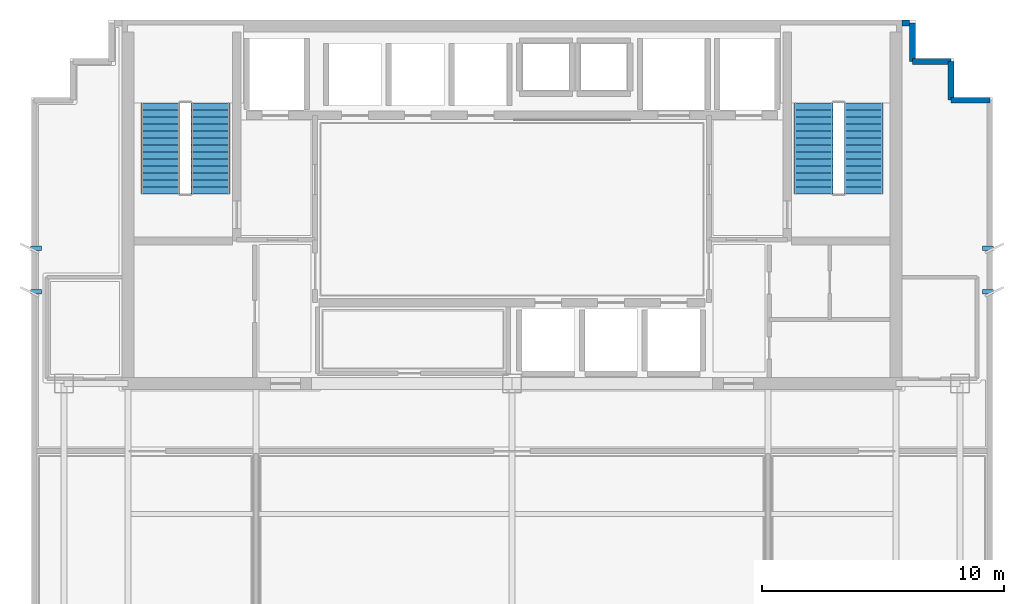
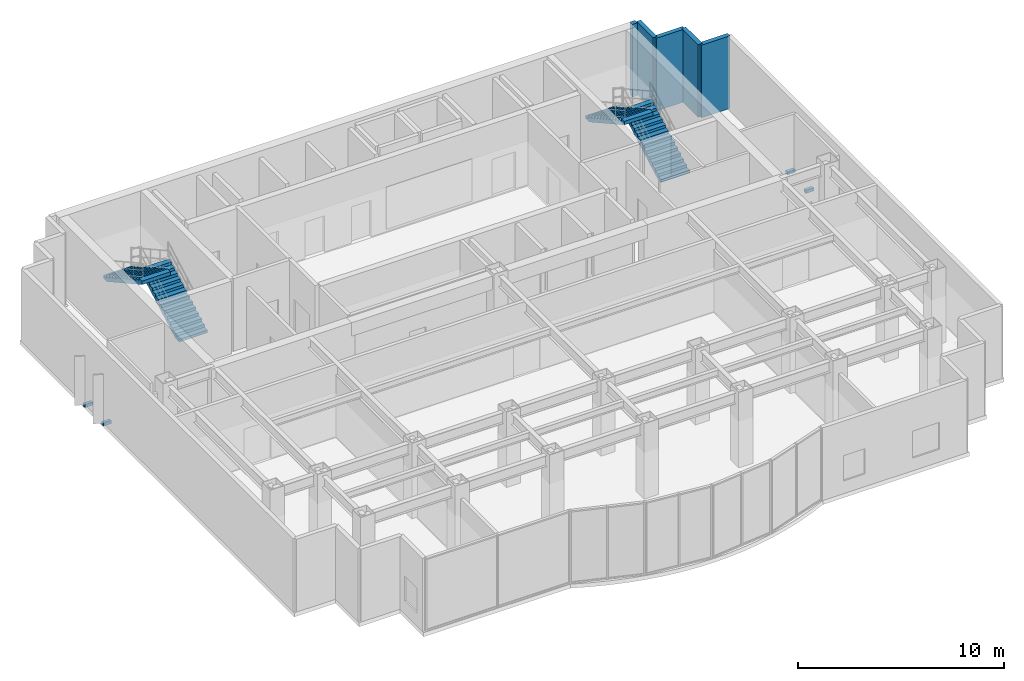
# One storey, part 6 of 8: 5 walls, 4 discrete accessories, 4 stair flights, 2 elements without a shape of their own.
"""IFC4 building model written with IfcOpenShell, lengths in metres."""

from ifc_helpers import new_model, si_unit, direction, frame, frame_2d, origin, origin_2d, place, context, subcontext, project, spatial, polyline, rectangle, outline, extrude, source, transform, mapped, material, layer, layer_set, type_object, element, aggregate, save


model = new_model("IFC4")

# Units and contexts
model_context = context("Model", 3, precision=1e-05, world=origin(), true_north=direction((0.0, 1.0)))
body_context = subcontext(model_context, "Body", "Model", "MODEL_VIEW")
ifc_project = project(units=[si_unit("LENGTHUNIT", "METRE"), si_unit("AREAUNIT", "SQUARE_METRE"), si_unit("VOLUMEUNIT", "CUBIC_METRE"), si_unit("PLANEANGLEUNIT", "RADIAN"), si_unit("MASSUNIT", "GRAM", prefix="KILO")], contexts=[model_context])

# Site, building, storey
site_placement = place(None, origin())
site = spatial("IfcSite", under=ifc_project, at=site_placement, CompositionType="ELEMENT")
building_placement = place(site_placement, origin())
building = spatial("IfcBuilding", under=site, at=building_placement, Name="Qianlan Lanfeng Residences", CompositionType="ELEMENT")
storey_placement = place(building_placement, frame((0.0, 0.0, 192.199951171875)))
storey = spatial("IfcBuildingStorey", under=building, at=storey_placement, Name="L52", CompositionType="ELEMENT", Elevation=192.199951171875)

# Walls
ifc_material_1 = material(Name="Concrete C42", Category="concrete")
ifc_layer = layer(ifc_material_1, 0.239990234375)
ifc_layer_set = layer_set([ifc_layer], Name="Concrete C42")
wall_type = type_object("IfcWallType", Name="EW-240", PredefinedType="SOLIDWALL", material=ifc_layer_set)
for number, where, z_axis, x_axis, name in (
    (1, (46.280029296875, 36.929931640625, 0.0), (0.0, 0.0, 1.0), (-1.0, 0.0, 0.0), "L52 Exterior Facade Spandrel Wall 11"),
    (2, (44.679931640625, 36.929931640625, 0.0), (0.0, 0.0, 1.0), (0.0, 1.0, 0.0), "L52 Exterior Facade Spandrel Wall 12"),
):
    element("IfcWall", number, at=place(storey_placement, frame(where, z_axis=z_axis, x_axis=x_axis)), inside=storey, type_object=wall_type, Name=name, PredefinedType="SOLIDWALL", context=body_context, shape_type="SweptSolid", body=[
        extrude(rectangle(XDim=1.60009765625, YDim=0.239990234375, at=frame_2d((0.800048828125, 0.0))), origin(), (0.0, 0.0, 1.0), 4.31005859375),
    ])
for number, where, z_axis, x_axis, name in (
    (3, (44.679931640625, 38.530029296875, 0.0), (0.0, 0.0, 1.0), (-1.0, 0.0, 0.0), "L52 Exterior Facade Spandrel Wall 13"),
    (4, (43.080078125, 38.530029296875, 0.0), (0.0, 0.0, 1.0), (0.0, 1.0, 0.0), "L52 Exterior Facade Spandrel Wall 14"),
):
    element("IfcWall", number, at=place(storey_placement, frame(where, z_axis=z_axis, x_axis=x_axis)), inside=storey, type_object=wall_type, Name=name, PredefinedType="SOLIDWALL", context=body_context, shape_type="SweptSolid", body=[
        extrude(rectangle(XDim=1.599853515625, YDim=0.239990234375, at=frame_2d((0.7998046875, 0.0))), origin(), (0.0, 0.0, 1.0), 4.31005859375),
    ])
wall_placement = place(storey_placement, frame((42.949951171875, 40.1298828125, 0.0), z_axis=(0.0, 0.0, 1.0), x_axis=(-1.0, 0.0, 0.0)))
element("IfcWall", 5, at=wall_placement, inside=storey, type_object=wall_type, Name="L52 North Wing Exterior Wall E", PredefinedType="SOLIDWALL", context=body_context, shape_type="SweptSolid", body=[
    extrude(rectangle(XDim=0.300048828125, YDim=0.239990234375, at=frame_2d((0.14990234375, 0.0))), origin(), (0.0, 0.0, 1.0), 4.31005859375),
])

# Stair, stair flights
stair_type = type_object("IfcStairType", Name="STR-MAIN", PredefinedType="HALF_TURN_STAIR", material=ifc_material_1)
stair_1_placement = place(storey_placement, origin())
stair_1 = element("IfcStair", 6, at=stair_1_placement, inside=storey, type_object=stair_type, Name="L52 Exit Stair ST-1", PredefinedType="HALF_TURN_STAIR")
stair_flight_type = type_object("IfcStairFlightType", Name="FLT-1720", PredefinedType="STRAIGHT", material=ifc_material_1)
stair_flight_1_placement = place(storey_placement, frame((14.02001953125, 33.050048828125, 0.0), z_axis=(0.0, 0.0, 1.0), x_axis=(0.0, 1.0, 0.0)))
stair_flight_1 = element("IfcStairFlight", 7, at=stair_flight_1_placement, type_object=stair_flight_type, Name="ST-1 flight 1", NumberOfRisers=14, NumberOfTreads=13, PredefinedType="STRAIGHT", RiserHeight=0.160714286, TreadLength=0.29, context=body_context, shape_type="SweptSolid", body=[
    extrude(outline(polyline([(0.0, 0.0), (0.0, 0.16064453125), (0.2900390625, 0.16064453125), (0.2900390625, 0.321533203125), (0.580078125, 0.321533203125), (0.580078125, 0.482177734375), (0.8701171875, 0.482177734375), (0.8701171875, 0.642822265625), (1.159912109375, 0.642822265625), (1.159912109375, 0.803466796875), (1.449951171875, 0.803466796875), (1.449951171875, 0.96435546875), (1.739990234375, 0.96435546875), (1.739990234375, 1.125), (2.030029296875, 1.125), (2.030029296875, 1.28564453125), (2.320068359375, 1.28564453125), (2.320068359375, 1.446533203125), (2.610107421875, 1.446533203125), (2.610107421875, 1.607177734375), (2.89990234375, 1.607177734375), (2.89990234375, 1.767822265625), (3.18994140625, 1.767822265625), (3.18994140625, 1.928466796875), (3.47998046875, 1.928466796875), (3.47998046875, 2.08935546875), (3.77001953125, 2.08935546875), (3.77001953125, 2.25), (3.77001953125, 1.883544921875), (0.37109375, 0.0), (0.0, 0.0)])), frame((0.0, 0.800048828125, 0.0), z_axis=(0.0, -1.0, 0.0), x_axis=(1.0, 0.0, 0.0)), (0.0, 0.0, 1.0), 1.60009765625),
])
stair_flight_2_placement = place(storey_placement, frame((11.93994140625, 36.820068359375, 2.25), z_axis=(0.0, 0.0, 1.0), x_axis=(0.0, -1.0, 0.0)))
stair_flight_2 = element("IfcStairFlight", 8, at=stair_flight_2_placement, type_object=stair_flight_type, Name="ST-1 flight 2", NumberOfRisers=14, NumberOfTreads=13, PredefinedType="STRAIGHT", RiserHeight=0.160714286, TreadLength=0.29, context=body_context, shape_type="SweptSolid", body=[
    extrude(outline(polyline([(0.0, 0.0), (0.0, 0.16064453125), (0.2900390625, 0.16064453125), (0.2900390625, 0.321533203125), (0.580078125, 0.321533203125), (0.580078125, 0.482177734375), (0.8701171875, 0.482177734375), (0.8701171875, 0.642822265625), (1.159912109375, 0.642822265625), (1.159912109375, 0.803466796875), (1.449951171875, 0.803466796875), (1.449951171875, 0.96435546875), (1.739990234375, 0.96435546875), (1.739990234375, 1.125), (2.030029296875, 1.125), (2.030029296875, 1.28564453125), (2.320068359375, 1.28564453125), (2.320068359375, 1.446533203125), (2.610107421875, 1.446533203125), (2.610107421875, 1.607177734375), (2.89990234375, 1.607177734375), (2.89990234375, 1.767822265625), (3.18994140625, 1.767822265625), (3.18994140625, 1.928466796875), (3.47998046875, 1.928466796875), (3.47998046875, 2.08935546875), (3.77001953125, 2.08935546875), (3.77001953125, 2.25), (3.77001953125, 1.883544921875), (0.37109375, 0.0), (0.0, 0.0)])), frame((0.0, 0.800048828125, 0.0), z_axis=(0.0, -1.0, 0.0), x_axis=(1.0, 0.0, 0.0)), (0.0, 0.0, 1.0), 1.60009765625),
])
aggregate(stair_1, [stair_flight_1, stair_flight_2])

stair_2_placement = place(storey_placement, origin())
stair_2 = element("IfcStair", 9, at=stair_2_placement, inside=storey, type_object=stair_type, Name="L52 Exit Stair ST-2", PredefinedType="HALF_TURN_STAIR")
stair_flight_3_placement = place(storey_placement, frame((41.06005859375, 33.050048828125, 0.0), z_axis=(0.0, 0.0, 1.0), x_axis=(0.0, 1.0, 0.0)))
stair_flight_3 = element("IfcStairFlight", 10, at=stair_flight_3_placement, type_object=stair_flight_type, Name="ST-2 flight 1", NumberOfRisers=14, NumberOfTreads=13, PredefinedType="STRAIGHT", RiserHeight=0.160714286, TreadLength=0.29, context=body_context, shape_type="SweptSolid", body=[
    extrude(outline(polyline([(0.0, 0.0), (0.0, 0.16064453125), (0.2900390625, 0.16064453125), (0.2900390625, 0.321533203125), (0.580078125, 0.321533203125), (0.580078125, 0.482177734375), (0.8701171875, 0.482177734375), (0.8701171875, 0.642822265625), (1.159912109375, 0.642822265625), (1.159912109375, 0.803466796875), (1.449951171875, 0.803466796875), (1.449951171875, 0.96435546875), (1.739990234375, 0.96435546875), (1.739990234375, 1.125), (2.030029296875, 1.125), (2.030029296875, 1.28564453125), (2.320068359375, 1.28564453125), (2.320068359375, 1.446533203125), (2.610107421875, 1.446533203125), (2.610107421875, 1.607177734375), (2.89990234375, 1.607177734375), (2.89990234375, 1.767822265625), (3.18994140625, 1.767822265625), (3.18994140625, 1.928466796875), (3.47998046875, 1.928466796875), (3.47998046875, 2.08935546875), (3.77001953125, 2.08935546875), (3.77001953125, 2.25), (3.77001953125, 1.883544921875), (0.37109375, 0.0), (0.0, 0.0)])), frame((0.0, 0.800048828125, 0.0), z_axis=(0.0, -1.0, 0.0), x_axis=(1.0, 0.0, 0.0)), (0.0, 0.0, 1.0), 1.60009765625),
])
stair_flight_4_placement = place(storey_placement, frame((38.97998046875, 36.820068359375, 2.25), z_axis=(0.0, 0.0, 1.0), x_axis=(0.0, -1.0, 0.0)))
stair_flight_4 = element("IfcStairFlight", 11, at=stair_flight_4_placement, type_object=stair_flight_type, Name="ST-2 flight 2", NumberOfRisers=14, NumberOfTreads=13, PredefinedType="STRAIGHT", RiserHeight=0.160714286, TreadLength=0.29, context=body_context, shape_type="SweptSolid", body=[
    extrude(outline(polyline([(0.0, 0.0), (0.0, 0.16064453125), (0.2900390625, 0.16064453125), (0.2900390625, 0.321533203125), (0.580078125, 0.321533203125), (0.580078125, 0.482177734375), (0.8701171875, 0.482177734375), (0.8701171875, 0.642822265625), (1.159912109375, 0.642822265625), (1.159912109375, 0.803466796875), (1.449951171875, 0.803466796875), (1.449951171875, 0.96435546875), (1.739990234375, 0.96435546875), (1.739990234375, 1.125), (2.030029296875, 1.125), (2.030029296875, 1.28564453125), (2.320068359375, 1.28564453125), (2.320068359375, 1.446533203125), (2.610107421875, 1.446533203125), (2.610107421875, 1.607177734375), (2.89990234375, 1.607177734375), (2.89990234375, 1.767822265625), (3.18994140625, 1.767822265625), (3.18994140625, 1.928466796875), (3.47998046875, 1.928466796875), (3.47998046875, 2.08935546875), (3.77001953125, 2.08935546875), (3.77001953125, 2.25), (3.77001953125, 1.883544921875), (0.37109375, 0.0), (0.0, 0.0)])), frame((0.0, 0.800048828125, 0.0), z_axis=(0.0, -1.0, 0.0), x_axis=(1.0, 0.0, 0.0)), (0.0, 0.0, 1.0), 1.60009765625),
])
aggregate(stair_2, [stair_flight_3, stair_flight_4])

# Discrete accessories
ifc_material_2 = material(Name="Stainless Steel Facade Bracket", Category="steel")
discrete_accessory_type = type_object("IfcDiscreteAccessoryType", Name="BRK-SS-350", PredefinedType="BRACKET", material=ifc_material_2)
shared_shape = source(origin(), body_context, "Body", "SweptSolid", [
    extrude(rectangle(XDim=0.449951171875, YDim=0.179931640625, at=origin_2d()), origin(), (0.0, 0.0, 1.0), 0.179931640625),
])
for number, where, z_axis, x_axis, name in (
    (12, (6.800048828125, 29.0, -0.14990234375), (0.0, 0.0, 1.0), (1.0, 0.0, 0.0), "L52 Raked Solar Fin Support Bracket W1"),
    (13, (6.800048828125, 30.800048828125, -0.14990234375), (0.0, 0.0, 1.0), (1.0, 0.0, 0.0), "L52 Raked Solar Fin Support Bracket W2"),
    (14, (46.199951171875, 29.0, -0.14990234375), (0.0, 0.0, 1.0), (1.0, 0.0, 0.0), "L52 Raked Solar Fin Support Bracket E1"),
    (15, (46.199951171875, 30.800048828125, -0.14990234375), (0.0, 0.0, 1.0), (1.0, 0.0, 0.0), "L52 Raked Solar Fin Support Bracket E2"),
):
    element("IfcDiscreteAccessory", number, at=place(storey_placement, frame(where, z_axis=z_axis, x_axis=x_axis)), inside=storey, type_object=discrete_accessory_type, Name=name, PredefinedType="BRACKET", context=body_context, shape_type="MappedRepresentation", body=[
        mapped(shared_shape, transform((0.0, 0.0, 0.0), scale=1.0)),
    ])

save(model, "model.ifc")
